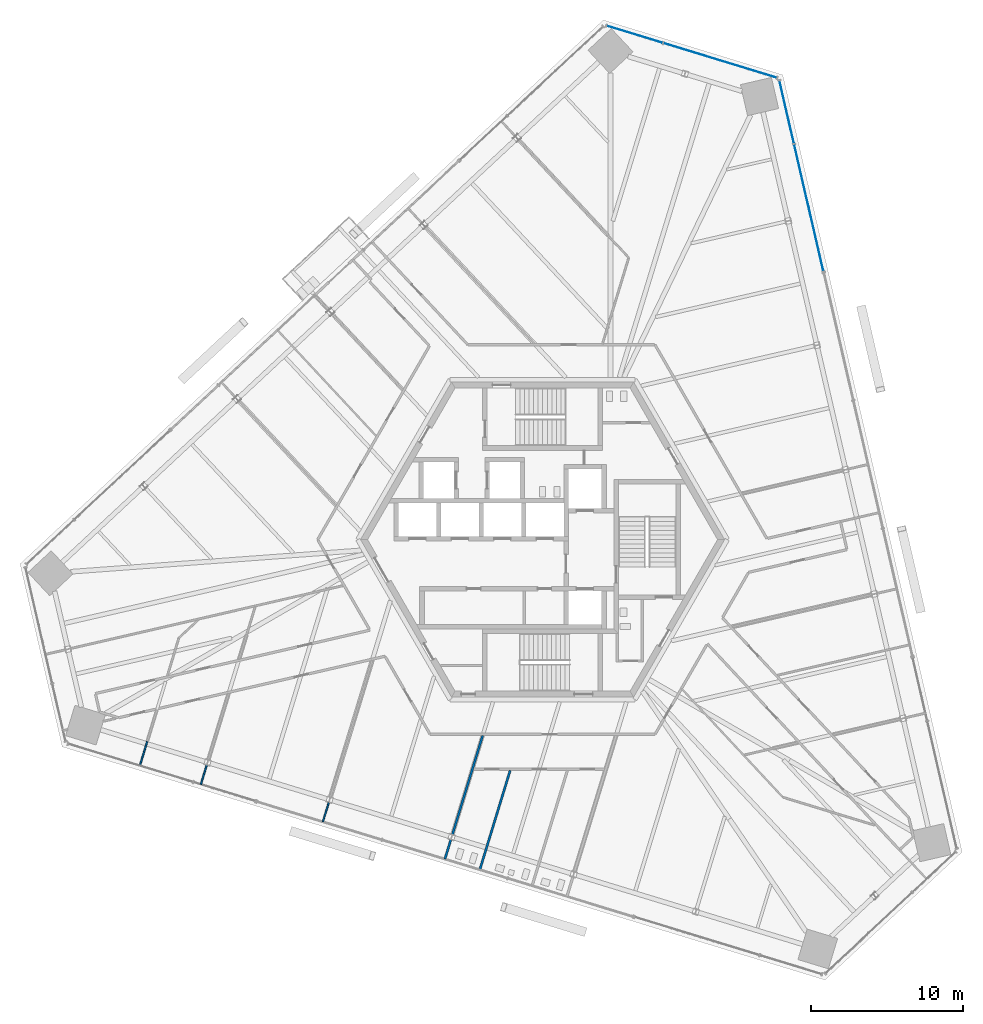
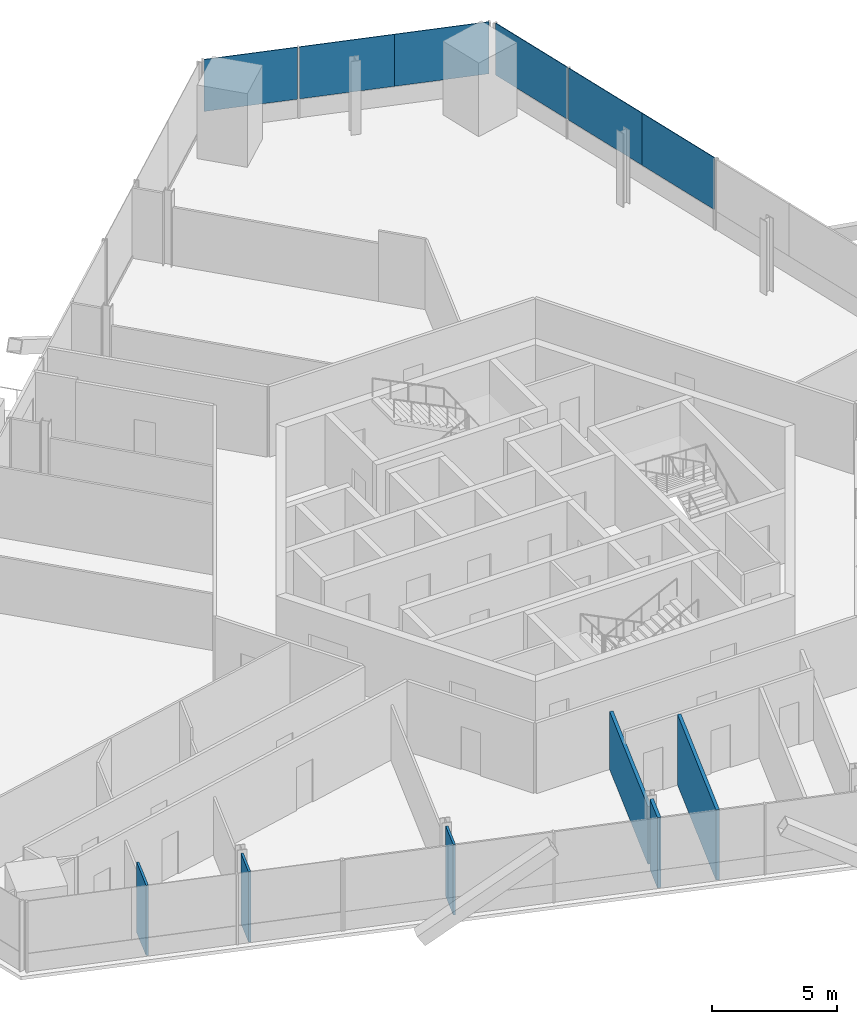
# One storey, part 10 of 19: 6 plates, 6 walls, 2 elements without a shape of their own.
"""IFC4 building model written with IfcOpenShell, lengths in metres."""

from ifc_helpers import new_model, si_unit, direction, frame, frame_2d, origin, origin_2d, place, context, subcontext, project, spatial, rectangle, extrude, source, transform, mapped, material, layer, layer_set, type_object, element, aggregate, save


model = new_model("IFC4")

# Units and contexts
model_context = context("Model", 3, precision=1e-05, world=origin(), true_north=direction((0.0, 1.0)))
body_context = subcontext(model_context, "Body", "Model", "MODEL_VIEW")
ifc_project = project(units=[si_unit("LENGTHUNIT", "METRE"), si_unit("AREAUNIT", "SQUARE_METRE"), si_unit("VOLUMEUNIT", "CUBIC_METRE"), si_unit("PLANEANGLEUNIT", "RADIAN"), si_unit("MASSUNIT", "GRAM", prefix="KILO")], contexts=[model_context])

# Site, building, storey
site_placement = place(None, origin())
site = spatial("IfcSite", under=ifc_project, at=site_placement, CompositionType="ELEMENT")
building_placement = place(site_placement, origin())
building = spatial("IfcBuilding", under=site, at=building_placement, Name="Triune Harvest Tower", CompositionType="ELEMENT")
storey_placement = place(building_placement, frame((0.0, 0.0, 109.10009765625)))
storey = spatial("IfcBuildingStorey", under=building, at=storey_placement, Name="L27", CompositionType="ELEMENT", Elevation=109.10009765625)

# Curtain wall, plates
ifc_material_1 = material(Name="Aluminium bronze anodised", Category="aluminium")
curtain_wall_type = type_object("IfcCurtainWallType", Name="CW-1 Tower stick curtain wall", PredefinedType="NOTDEFINED", material=ifc_material_1)
curtain_wall_1_placement = place(storey_placement, origin())
curtain_wall_1 = element("IfcCurtainWall", 1, at=curtain_wall_1_placement, inside=storey, type_object=curtain_wall_type, Name="CW-1 B3-F2 L27 run 1")
ifc_material_2 = material(Name="Glass", Category="glass")
ifc_layer_1 = layer(ifc_material_2, 0.031982421875)
ifc_layer_set_1 = layer_set([ifc_layer_1], Name="Glass")
plate_type = type_object("IfcPlateType", Name="GL-1 panel 32", PredefinedType="CURTAIN_PANEL", material=ifc_layer_set_1)
shared_shape_1 = source(origin(), body_context, "Body", "SweptSolid", [
    extrude(rectangle(XDim=3.8740234375, YDim=0.031982421875, at=origin_2d()), origin(), (0.0, 0.0, 1.0), 2.5400390625),
])
plate_1_placement = place(storey_placement, frame((13.573974609375, 31.01953125, 0.89990234375), z_axis=(0.0, 0.0, 1.0), x_axis=(-0.956303148607, 0.292376962095, 0.0)))
plate_1 = element("IfcPlate", 2, at=plate_1_placement, type_object=plate_type, Name="CW-1 panel B3-F2 1.1", PredefinedType="CURTAIN_PANEL", context=body_context, shape_type="MappedRepresentation", body=[
    mapped(shared_shape_1, transform((0.0, 0.0, 0.0), scale=1.0)),
])
shared_shape_2 = source(origin(), body_context, "Body", "SweptSolid", [
    extrude(rectangle(XDim=3.911376953125, YDim=0.031982421875, at=origin_2d()), origin(), (0.0, 0.0, 1.0), 2.5400390625),
])
plate_2_placement = place(storey_placement, frame((9.851318359375, 32.15771484375, 0.89990234375), z_axis=(0.0, 0.0, 1.0), x_axis=(-0.956303148607, 0.292376962095, 0.0)))
plate_2 = element("IfcPlate", 3, at=plate_2_placement, type_object=plate_type, Name="CW-1 panel B3-F2 1.2", PredefinedType="CURTAIN_PANEL", context=body_context, shape_type="MappedRepresentation", body=[
    mapped(shared_shape_2, transform((0.0, 0.0, 0.0), scale=1.0)),
])
shared_shape_3 = source(origin(), body_context, "Body", "SweptSolid", [
    extrude(rectangle(XDim=3.83642578125, YDim=0.031982421875, at=origin_2d()), origin(), (0.0, 0.0, 1.0), 2.5400390625),
])
plate_3_placement = place(storey_placement, frame((6.07470703125, 33.312255859375, 0.89990234375), z_axis=(0.0, 0.0, 1.0), x_axis=(-0.956303148607, 0.292376962095, 0.0)))
plate_3 = element("IfcPlate", 4, at=plate_3_placement, type_object=plate_type, Name="CW-1 panel B3-F2 1.3", PredefinedType="CURTAIN_PANEL", context=body_context, shape_type="MappedRepresentation", body=[
    mapped(shared_shape_3, transform((0.0, 0.0, 0.0), scale=1.0)),
])
aggregate(curtain_wall_1, [plate_1, plate_2, plate_3])

curtain_wall_2_placement = place(storey_placement, origin())
curtain_wall_2 = element("IfcCurtainWall", 5, at=curtain_wall_2_placement, inside=storey, type_object=curtain_wall_type, Name="CW-1 B3-F1 L27 run 2001")
shared_shape_4 = source(origin(), body_context, "Body", "SweptSolid", [
    extrude(rectangle(XDim=4.263427734375, YDim=0.031982421875, at=origin_2d()), origin(), (0.0, 0.0, 1.0), 2.5400390625),
])
plate_4_placement = place(storey_placement, frame((18.03564453125, 19.785888671875, 0.89990234375), z_axis=(0.0, 0.0, 1.0), x_axis=(-0.22495089959, 0.974370100513, 0.0)))
plate_4 = element("IfcPlate", 6, at=plate_4_placement, type_object=plate_type, Name="CW-1 panel B3-F1 2001.1", PredefinedType="CURTAIN_PANEL", context=body_context, shape_type="MappedRepresentation", body=[
    mapped(shared_shape_4, transform((0.0, 0.0, 0.0), scale=1.0)),
])
shared_shape_5 = source(origin(), body_context, "Body", "SweptSolid", [
    extrude(rectangle(XDim=4.30078125, YDim=0.031982421875, at=origin_2d()), origin(), (0.0, 0.0, 1.0), 2.5400390625),
])
plate_5_placement = place(storey_placement, frame((17.072265625, 23.958251953125, 0.89990234375), z_axis=(0.0, 0.0, 1.0), x_axis=(-0.22495089959, 0.974370100513, 0.0)))
plate_5 = element("IfcPlate", 7, at=plate_5_placement, type_object=plate_type, Name="CW-1 panel B3-F1 2001.2", PredefinedType="CURTAIN_PANEL", context=body_context, shape_type="MappedRepresentation", body=[
    mapped(shared_shape_5, transform((0.0, 0.0, 0.0), scale=1.0)),
])
shared_shape_6 = source(origin(), body_context, "Body", "SweptSolid", [
    extrude(rectangle(XDim=4.225830078125, YDim=0.031982421875, at=origin_2d()), origin(), (0.0, 0.0, 1.0), 2.5400390625),
])
plate_6_placement = place(storey_placement, frame((16.096435546875, 28.185546875, 0.89990234375), z_axis=(0.0, 0.0, 1.0), x_axis=(-0.22495089959, 0.974370100513, 0.0)))
plate_6 = element("IfcPlate", 8, at=plate_6_placement, type_object=plate_type, Name="CW-1 panel B3-F1 2001.3", PredefinedType="CURTAIN_PANEL", context=body_context, shape_type="MappedRepresentation", body=[
    mapped(shared_shape_6, transform((0.0, 0.0, 0.0), scale=1.0)),
])
aggregate(curtain_wall_2, [plate_4, plate_5, plate_6])

# Walls
ifc_material_3 = material(Name="Gypsum board on steel studs", Category="steel")
ifc_layer_2 = layer(ifc_material_3, 0.10009765625)
ifc_layer_set_2 = layer_set([ifc_layer_2], Name="Gypsum board on steel studs")
wall_type_1 = type_object("IfcWallType", Name="Partition 100 mm", PredefinedType="PARTITIONING", material=ifc_layer_set_2)
wall_1_placement = place(storey_placement, frame((-26.55615234375, -14.911376953125, 0.0), z_axis=(0.0, 0.0, 1.0), x_axis=(0.292370727923, 0.9563050546, 0.0)))
element("IfcWall", 9, at=wall_1_placement, inside=storey, type_object=wall_type_1, Name="Partition L27 062", PredefinedType="PARTITIONING", context=body_context, shape_type="SweptSolid", body=[
    extrude(rectangle(XDim=1.6708984375, YDim=0.10009765625, at=frame_2d((0.83544921875, 0.0))), origin(), (0.0, 0.0, 1.0), 3.43994140625),
])
shared_shape_7 = source(origin(), body_context, "Body", "SweptSolid", [
    extrude(rectangle(XDim=1.338134765625, YDim=0.10009765625, at=frame_2d((0.6689453125, 0.0))), origin(), (0.0, 0.0, 1.0), 3.43994140625),
])
wall_2_placement = place(storey_placement, frame((-22.53271484375, -16.1416015625, 0.0), z_axis=(0.0, 0.0, 1.0), x_axis=(0.29226488494, 0.956337407525, 0.0)))
element("IfcWall", 10, at=wall_2_placement, inside=storey, type_object=wall_type_1, Name="Partition L27 059", PredefinedType="PARTITIONING", context=body_context, shape_type="MappedRepresentation", body=[
    mapped(shared_shape_7, transform((0.0, 0.0, 0.0), scale=1.0)),
])
shared_shape_8 = source(origin(), body_context, "Body", "SweptSolid", [
    extrude(rectangle(XDim=1.33837890625, YDim=0.10009765625, at=frame_2d((0.669189453125, 0.0))), origin(), (0.0, 0.0, 1.0), 3.43994140625),
])
wall_3_placement = place(storey_placement, frame((-14.486083984375, -18.601806640625, 0.0), z_axis=(0.0, 0.0, 1.0), x_axis=(0.292431725513, 0.956286403706, 0.0)))
element("IfcWall", 11, at=wall_3_placement, inside=storey, type_object=wall_type_1, Name="Partition L27 057", PredefinedType="PARTITIONING", context=body_context, shape_type="MappedRepresentation", body=[
    mapped(shared_shape_8, transform((0.0, 0.0, 0.0), scale=1.0)),
])
ifc_material_4 = material(Name="Gypsum board on steel studs", Category="steel")
ifc_layer_3 = layer(ifc_material_4, 0.14990234375)
ifc_layer_set_3 = layer_set([ifc_layer_3], Name="Gypsum board on steel studs")
wall_type_2 = type_object("IfcWallType", Name="Fire Partition 150 mm", PredefinedType="PARTITIONING", material=ifc_layer_set_3)
shared_shape_9 = source(origin(), body_context, "Body", "SweptSolid", [
    extrude(rectangle(XDim=6.845458984375, YDim=0.14990234375, at=frame_2d((3.4228515625, 0.0))), origin(), (0.0, 0.0, 1.0), 3.43994140625),
])
wall_4_placement = place(storey_placement, frame((-4.138671875, -21.76513671875, 0.0), z_axis=(0.0, 0.0, 1.0), x_axis=(0.292376189619, 0.956303384781, 0.0)))
element("IfcWall", 12, at=wall_4_placement, inside=storey, type_object=wall_type_2, Name="Partition L27 053", PredefinedType="PARTITIONING", context=body_context, shape_type="MappedRepresentation", body=[
    mapped(shared_shape_9, transform((0.0, 0.0, 0.0), scale=1.0)),
])
shared_shape_10 = source(origin(), body_context, "Body", "SweptSolid", [
    extrude(rectangle(XDim=1.338134765625, YDim=0.14990234375, at=frame_2d((0.6689453125, 0.0))), origin(), (0.0, 0.0, 1.0), 3.43994140625),
])
wall_5_placement = place(storey_placement, frame((-6.439208984375, -21.061767578125, 0.0), z_axis=(0.0, 0.0, 1.0), x_axis=(0.29226488494, 0.956337407525, 0.0)))
element("IfcWall", 13, at=wall_5_placement, inside=storey, type_object=wall_type_2, Name="Partition L27 054", PredefinedType="PARTITIONING", context=body_context, shape_type="MappedRepresentation", body=[
    mapped(shared_shape_10, transform((0.0, 0.0, 0.0), scale=1.0)),
])
shared_shape_11 = source(origin(), body_context, "Body", "SweptSolid", [
    extrude(rectangle(XDim=6.816162109375, YDim=0.14990234375, at=frame_2d((3.408203125, 0.0))), origin(), (0.0, 0.0, 1.0), 2.82763671875),
])
wall_6_placement = place(storey_placement, frame((-5.9423828125, -19.43701171875, 0.0), z_axis=(0.0, 0.0, 1.0), x_axis=(0.292348661629, 0.95631180064, 0.0)))
element("IfcWall", 14, at=wall_6_placement, inside=storey, type_object=wall_type_2, Name="Partition L27 055", PredefinedType="PARTITIONING", context=body_context, shape_type="MappedRepresentation", body=[
    mapped(shared_shape_11, transform((0.0, 0.0, 0.0), scale=1.0)),
])

save(model, "model.ifc")
